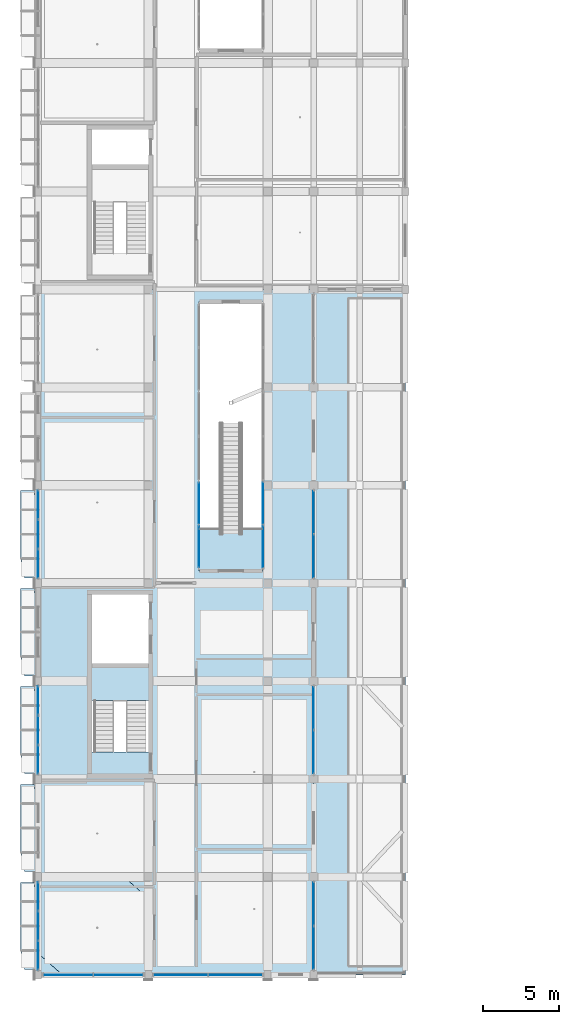
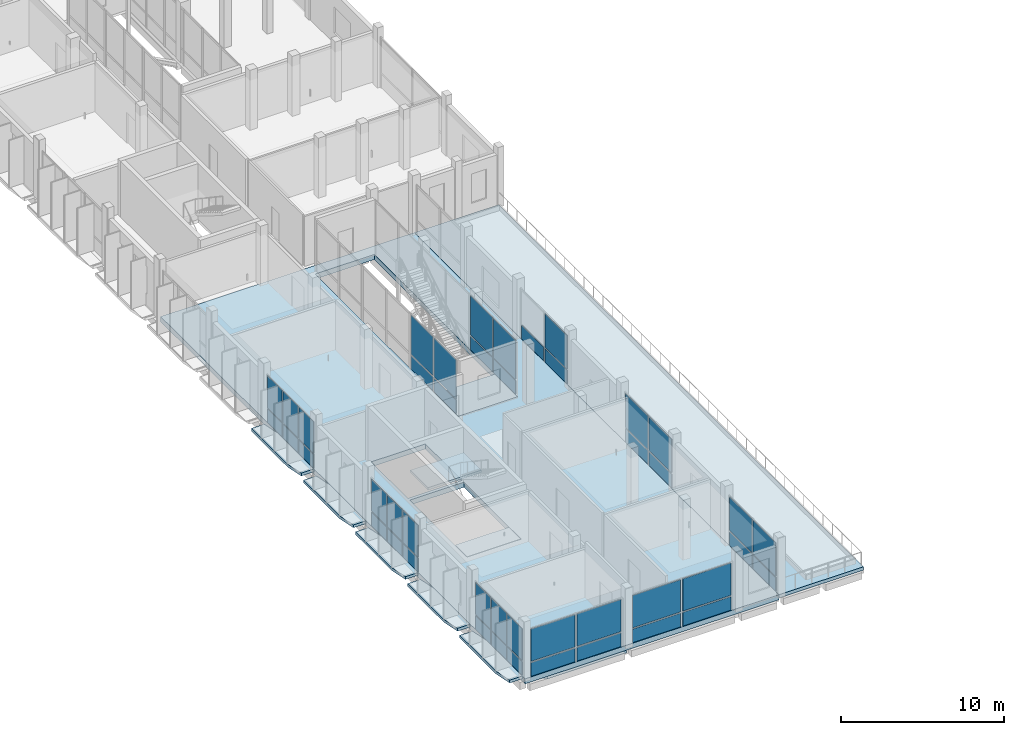
# One storey, part 43 of 95: 45 plates, 11 slabs, 11 elements without a shape of their own.
"""IFC4 building model written with IfcOpenShell, lengths in metres."""

from ifc_helpers import new_model, si_unit, derived_unit, direction, frame, origin, origin_2d, place, context, subcontext, project, spatial, polyline, rectangle, outline, extrude, material, layer, layer_set, type_object, element, aggregate, save


model = new_model("IFC4")

# Units and contexts
model_context = context("Model", 3, precision=1e-05, world=origin(), true_north=direction((0.0, 1.0)))
body_context = subcontext(model_context, "Body", "Model", "MODEL_VIEW")
ifc_project = project(units=[si_unit("LENGTHUNIT", "METRE"), si_unit("AREAUNIT", "SQUARE_METRE"), si_unit("VOLUMEUNIT", "CUBIC_METRE"), si_unit("PLANEANGLEUNIT", "RADIAN"), si_unit("MASSUNIT", "GRAM", prefix="KILO"), derived_unit("THERMALTRANSMITTANCEUNIT", [(si_unit("POWERUNIT", "WATT"), 1), (si_unit("LENGTHUNIT", "METRE"), -2), (si_unit("THERMODYNAMICTEMPERATUREUNIT", "KELVIN"), -1)])], contexts=[model_context])

# Site, building, storey
site_placement = place(None, origin())
site = spatial("IfcSite", under=ifc_project, at=site_placement, CompositionType="ELEMENT")
building_placement = place(site_placement, origin())
building = spatial("IfcBuilding", under=site, at=building_placement, Name="Braskholm Square Health Centre", CompositionType="ELEMENT")
storey_placement = place(building_placement, frame((0.0, 0.0, 4.800048828125)))
storey = spatial("IfcBuildingStorey", under=building, at=storey_placement, Name="L02", CompositionType="ELEMENT", Elevation=4.800048828125)

# Curtain wall, plates
ifc_material_1 = material(Name="Low-E triple insulating glass (VLT 0.64)", Category="glass")
curtain_wall_type_1 = type_object("IfcCurtainWallType", Name="UnitisedCurtainWall6200x3650", PredefinedType="NOTDEFINED", material=ifc_material_1)
curtain_wall_1_placement = place(storey_placement, origin())
curtain_wall_1 = element("IfcCurtainWall", 1, at=curtain_wall_1_placement, inside=storey, type_object=curtain_wall_type_1, Name="West Outer unitised curtain wall CW-L02-0006", PredefinedType="NOTDEFINED")
ifc_material_2 = material(Name="Architectural bronze anodised aluminium", Category="aluminium")
plate_type_1 = type_object("IfcPlateType", Name="CurtainPanelSpandrel1850x1020", PredefinedType="CURTAIN_PANEL", material=ifc_material_2)
plate_1_placement = place(storey_placement, frame((4.199951171875, 9.340087890625, 0.050048828125), z_axis=(0.0, 0.0, 1.0), x_axis=(0.0, -1.0, 0.0)))
plate_1 = element("IfcPlate", 2, at=plate_1_placement, type_object=plate_type_1, Name="CW-L02-0006 spandrel panel 1", PredefinedType="CURTAIN_PANEL", context=body_context, shape_type="SweptSolid", body=[
    extrude(rectangle(XDim=1.823486328125, YDim=0.035888671875, at=origin_2d()), origin(), (0.0, 0.0, 1.0), 1.02001953125),
])
plate_2_placement = place(storey_placement, frame((4.199951171875, 7.39990234375, 0.050048828125), z_axis=(0.0, 0.0, 1.0), x_axis=(0.0, -1.0, 0.0)))
plate_2 = element("IfcPlate", 3, at=plate_2_placement, type_object=plate_type_1, Name="CW-L02-0006 spandrel panel 2", PredefinedType="CURTAIN_PANEL", context=body_context, shape_type="SweptSolid", body=[
    extrude(rectangle(XDim=1.823486328125, YDim=0.035888671875, at=origin_2d()), origin(), (0.0, 0.0, 1.0), 1.02001953125),
])
plate_3_placement = place(storey_placement, frame((4.199951171875, 5.4599609375, 0.050048828125), z_axis=(0.0, 0.0, 1.0), x_axis=(0.0, -1.0, 0.0)))
plate_3 = element("IfcPlate", 4, at=plate_3_placement, type_object=plate_type_1, Name="CW-L02-0006 spandrel panel 3", PredefinedType="CURTAIN_PANEL", context=body_context, shape_type="SweptSolid", body=[
    extrude(rectangle(XDim=1.823486328125, YDim=0.035888671875, at=origin_2d()), origin(), (0.0, 0.0, 1.0), 1.02001953125),
])

curtain_wall_2_placement = place(storey_placement, origin())
curtain_wall_2 = element("IfcCurtainWall", 5, at=curtain_wall_2_placement, inside=storey, type_object=curtain_wall_type_1, Name="West Outer unitised curtain wall CW-L02-0007", PredefinedType="NOTDEFINED")
plate_4_placement = place(storey_placement, frame((4.199951171875, 22.139892578125, 0.050048828125), z_axis=(0.0, 0.0, 1.0), x_axis=(0.0, -1.0, 0.0)))
plate_4 = element("IfcPlate", 6, at=plate_4_placement, type_object=plate_type_1, Name="CW-L02-0007 spandrel panel 1", PredefinedType="CURTAIN_PANEL", context=body_context, shape_type="SweptSolid", body=[
    extrude(rectangle(XDim=1.823486328125, YDim=0.035888671875, at=origin_2d()), origin(), (0.0, 0.0, 1.0), 1.02001953125),
])
plate_5_placement = place(storey_placement, frame((4.199951171875, 20.199951171875, 0.050048828125), z_axis=(0.0, 0.0, 1.0), x_axis=(0.0, -1.0, 0.0)))
plate_5 = element("IfcPlate", 7, at=plate_5_placement, type_object=plate_type_1, Name="CW-L02-0007 spandrel panel 2", PredefinedType="CURTAIN_PANEL", context=body_context, shape_type="SweptSolid", body=[
    extrude(rectangle(XDim=1.823486328125, YDim=0.035888671875, at=origin_2d()), origin(), (0.0, 0.0, 1.0), 1.02001953125),
])
plate_6_placement = place(storey_placement, frame((4.199951171875, 18.260009765625, 0.050048828125), z_axis=(0.0, 0.0, 1.0), x_axis=(0.0, -1.0, 0.0)))
plate_6 = element("IfcPlate", 8, at=plate_6_placement, type_object=plate_type_1, Name="CW-L02-0007 spandrel panel 3", PredefinedType="CURTAIN_PANEL", context=body_context, shape_type="SweptSolid", body=[
    extrude(rectangle(XDim=1.823486328125, YDim=0.035888671875, at=origin_2d()), origin(), (0.0, 0.0, 1.0), 1.02001953125),
])

curtain_wall_3_placement = place(storey_placement, origin())
curtain_wall_3 = element("IfcCurtainWall", 9, at=curtain_wall_3_placement, inside=storey, type_object=curtain_wall_type_1, Name="West Outer unitised curtain wall CW-L02-0008", PredefinedType="NOTDEFINED")
plate_7_placement = place(storey_placement, frame((4.199951171875, 34.93994140625, 0.050048828125), z_axis=(0.0, 0.0, 1.0), x_axis=(0.0, -1.0, 0.0)))
plate_7 = element("IfcPlate", 10, at=plate_7_placement, type_object=plate_type_1, Name="CW-L02-0008 spandrel panel 1", PredefinedType="CURTAIN_PANEL", context=body_context, shape_type="SweptSolid", body=[
    extrude(rectangle(XDim=1.823486328125, YDim=0.035888671875, at=origin_2d()), origin(), (0.0, 0.0, 1.0), 1.02001953125),
])
plate_8_placement = place(storey_placement, frame((4.199951171875, 33.0, 0.050048828125), z_axis=(0.0, 0.0, 1.0), x_axis=(0.0, -1.0, 0.0)))
plate_8 = element("IfcPlate", 11, at=plate_8_placement, type_object=plate_type_1, Name="CW-L02-0008 spandrel panel 2", PredefinedType="CURTAIN_PANEL", context=body_context, shape_type="SweptSolid", body=[
    extrude(rectangle(XDim=1.823486328125, YDim=0.035888671875, at=origin_2d()), origin(), (0.0, 0.0, 1.0), 1.02001953125),
])
plate_9_placement = place(storey_placement, frame((4.199951171875, 31.06005859375, 0.050048828125), z_axis=(0.0, 0.0, 1.0), x_axis=(0.0, -1.0, 0.0)))
plate_9 = element("IfcPlate", 12, at=plate_9_placement, type_object=plate_type_1, Name="CW-L02-0008 spandrel panel 3", PredefinedType="CURTAIN_PANEL", context=body_context, shape_type="SweptSolid", body=[
    extrude(rectangle(XDim=1.823486328125, YDim=0.035888671875, at=origin_2d()), origin(), (0.0, 0.0, 1.0), 1.02001953125),
])

curtain_wall_type_2 = type_object("IfcCurtainWallType", Name="UnitisedCurtainWall6200x3800", PredefinedType="NOTDEFINED", material=ifc_material_1)
curtain_wall_4_placement = place(storey_placement, origin())
curtain_wall_4 = element("IfcCurtainWall", 13, at=curtain_wall_4_placement, inside=storey, type_object=curtain_wall_type_2, Name="West Valley unitised curtain wall CW-L02-0084", PredefinedType="NOTDEFINED")
plate_type_2 = type_object("IfcPlateType", Name="CurtainPanelSpandrel2750x1020", PredefinedType="CURTAIN_PANEL", material=ifc_material_2)
plate_10_placement = place(storey_placement, frame((22.199951171875, 5.963623046875, 0.050048828125), z_axis=(0.0, 0.0, 1.0), x_axis=(0.0, 1.0, 0.0)))
plate_10 = element("IfcPlate", 14, at=plate_10_placement, type_object=plate_type_2, Name="CW-L02-0084 spandrel panel 1", PredefinedType="CURTAIN_PANEL", context=body_context, shape_type="SweptSolid", body=[
    extrude(rectangle(XDim=2.73779296875, YDim=0.035888671875, at=origin_2d()), origin(), (0.0, 0.0, 1.0), 1.02001953125),
])
plate_11_placement = place(storey_placement, frame((22.199951171875, 8.84130859375, 0.050048828125), z_axis=(0.0, 0.0, 1.0), x_axis=(0.0, 1.0, 0.0)))
plate_11 = element("IfcPlate", 15, at=plate_11_placement, type_object=plate_type_2, Name="CW-L02-0084 spandrel panel 2", PredefinedType="CURTAIN_PANEL", context=body_context, shape_type="SweptSolid", body=[
    extrude(rectangle(XDim=2.73779296875, YDim=0.035888671875, at=origin_2d()), origin(), (0.0, 0.0, 1.0), 1.02001953125),
])

curtain_wall_5_placement = place(storey_placement, origin())
curtain_wall_5 = element("IfcCurtainWall", 16, at=curtain_wall_5_placement, inside=storey, type_object=curtain_wall_type_2, Name="West Valley unitised curtain wall CW-L02-0085", PredefinedType="NOTDEFINED")
plate_12_placement = place(storey_placement, frame((22.199951171875, 18.760009765625, 0.050048828125), z_axis=(0.0, 0.0, 1.0), x_axis=(0.0, 1.0, 0.0)))
plate_12 = element("IfcPlate", 17, at=plate_12_placement, type_object=plate_type_2, Name="CW-L02-0085 spandrel panel 1", PredefinedType="CURTAIN_PANEL", context=body_context, shape_type="SweptSolid", body=[
    extrude(rectangle(XDim=2.739990234375, YDim=0.035888671875, at=origin_2d()), origin(), (0.0, 0.0, 1.0), 1.02001953125),
])
plate_13_placement = place(storey_placement, frame((22.199951171875, 21.639892578125, 0.050048828125), z_axis=(0.0, 0.0, 1.0), x_axis=(0.0, 1.0, 0.0)))
plate_13 = element("IfcPlate", 18, at=plate_13_placement, type_object=plate_type_2, Name="CW-L02-0085 spandrel panel 2", PredefinedType="CURTAIN_PANEL", context=body_context, shape_type="SweptSolid", body=[
    extrude(rectangle(XDim=2.739990234375, YDim=0.035888671875, at=origin_2d()), origin(), (0.0, 0.0, 1.0), 1.02001953125),
])

curtain_wall_6_placement = place(storey_placement, origin())
curtain_wall_6 = element("IfcCurtainWall", 19, at=curtain_wall_6_placement, inside=storey, type_object=curtain_wall_type_2, Name="West Valley unitised curtain wall CW-L02-0086", PredefinedType="NOTDEFINED")
plate_14_placement = place(storey_placement, frame((22.199951171875, 31.56005859375, 0.050048828125), z_axis=(0.0, 0.0, 1.0), x_axis=(0.0, 1.0, 0.0)))
plate_14 = element("IfcPlate", 20, at=plate_14_placement, type_object=plate_type_2, Name="CW-L02-0086 spandrel panel 1", PredefinedType="CURTAIN_PANEL", context=body_context, shape_type="SweptSolid", body=[
    extrude(rectangle(XDim=2.739990234375, YDim=0.035888671875, at=origin_2d()), origin(), (0.0, 0.0, 1.0), 1.02001953125),
])
plate_15_placement = place(storey_placement, frame((22.199951171875, 34.43994140625, 0.050048828125), z_axis=(0.0, 0.0, 1.0), x_axis=(0.0, 1.0, 0.0)))
plate_15 = element("IfcPlate", 21, at=plate_15_placement, type_object=plate_type_2, Name="CW-L02-0086 spandrel panel 2", PredefinedType="CURTAIN_PANEL", context=body_context, shape_type="SweptSolid", body=[
    extrude(rectangle(XDim=2.739990234375, YDim=0.035888671875, at=origin_2d()), origin(), (0.0, 0.0, 1.0), 1.02001953125),
])

curtain_wall_type_3 = type_object("IfcCurtainWallType", Name="UnitisedCurtainWall5400x4100", PredefinedType="NOTDEFINED", material=ifc_material_1)
curtain_wall_7_placement = place(storey_placement, origin())
curtain_wall_7 = element("IfcCurtainWall", 22, at=curtain_wall_7_placement, inside=storey, type_object=curtain_wall_type_3, Name="WC1 Court W unitised curtain wall CW-L02-0255", PredefinedType="NOTDEFINED")
plate_16_placement = place(storey_placement, frame((14.699951171875, 32.187744140625, 0.050048828125), z_axis=(0.0, 0.0, 1.0), x_axis=(0.0, 1.0, 0.0)))
plate_16 = element("IfcPlate", 23, at=plate_16_placement, type_object=plate_type_2, Name="CW-L02-0255 spandrel panel 1", PredefinedType="CURTAIN_PANEL", context=body_context, shape_type="SweptSolid", body=[
    extrude(rectangle(XDim=2.689208984375, YDim=0.035888671875, at=origin_2d()), origin(), (0.0, 0.0, 1.0), 1.02001953125),
])
plate_17_placement = place(storey_placement, frame((14.699951171875, 35.014404296875, 0.050048828125), z_axis=(0.0, 0.0, 1.0), x_axis=(0.0, 1.0, 0.0)))
plate_17 = element("IfcPlate", 24, at=plate_17_placement, type_object=plate_type_2, Name="CW-L02-0255 spandrel panel 2", PredefinedType="CURTAIN_PANEL", context=body_context, shape_type="SweptSolid", body=[
    extrude(rectangle(XDim=2.689208984375, YDim=0.035888671875, at=origin_2d()), origin(), (0.0, 0.0, 1.0), 1.02001953125),
])

curtain_wall_8_placement = place(storey_placement, origin())
curtain_wall_8 = element("IfcCurtainWall", 25, at=curtain_wall_8_placement, inside=storey, type_object=curtain_wall_type_3, Name="WC1 Court E unitised curtain wall CW-L02-0256", PredefinedType="NOTDEFINED")
plate_18_placement = place(storey_placement, frame((18.89990234375, 35.014404296875, 0.050048828125), z_axis=(0.0, 0.0, 1.0), x_axis=(0.0, -1.0, 0.0)))
plate_18 = element("IfcPlate", 26, at=plate_18_placement, type_object=plate_type_2, Name="CW-L02-0256 spandrel panel 1", PredefinedType="CURTAIN_PANEL", context=body_context, shape_type="SweptSolid", body=[
    extrude(rectangle(XDim=2.689208984375, YDim=0.035888671875, at=origin_2d()), origin(), (0.0, 0.0, 1.0), 1.02001953125),
])
plate_19_placement = place(storey_placement, frame((18.89990234375, 32.187744140625, 0.050048828125), z_axis=(0.0, 0.0, 1.0), x_axis=(0.0, -1.0, 0.0)))
plate_19 = element("IfcPlate", 27, at=plate_19_placement, type_object=plate_type_2, Name="CW-L02-0256 spandrel panel 2", PredefinedType="CURTAIN_PANEL", context=body_context, shape_type="SweptSolid", body=[
    extrude(rectangle(XDim=2.689208984375, YDim=0.035888671875, at=origin_2d()), origin(), (0.0, 0.0, 1.0), 1.02001953125),
])

curtain_wall_9_placement = place(storey_placement, origin())
curtain_wall_9 = element("IfcCurtainWall", 28, at=curtain_wall_9_placement, inside=storey, type_object=curtain_wall_type_1, Name="Wing End unitised curtain wall CW-L02-0145", PredefinedType="NOTDEFINED")
plate_type_3 = type_object("IfcPlateType", Name="CurtainPanelSpandrel3150x1020", PredefinedType="CURTAIN_PANEL", material=ifc_material_2)
plate_20_placement = place(storey_placement, frame((6.159912109375, 4.199951171875, 0.050048828125), z_axis=(0.0, 0.0, 1.0), x_axis=(1.0, 0.0, 0.0)))
plate_20 = element("IfcPlate", 29, at=plate_20_placement, type_object=plate_type_3, Name="CW-L02-0145 spandrel panel 1", PredefinedType="CURTAIN_PANEL", context=body_context, shape_type="SweptSolid", body=[
    extrude(rectangle(XDim=3.120849609375, YDim=0.035888671875, at=origin_2d()), origin(), (0.0, 0.0, 1.0), 1.02001953125),
])
plate_21_placement = place(storey_placement, frame((9.440185546875, 4.199951171875, 0.050048828125), z_axis=(0.0, 0.0, 1.0), x_axis=(1.0, 0.0, 0.0)))
plate_21 = element("IfcPlate", 30, at=plate_21_placement, type_object=plate_type_3, Name="CW-L02-0145 spandrel panel 2", PredefinedType="CURTAIN_PANEL", context=body_context, shape_type="SweptSolid", body=[
    extrude(rectangle(XDim=3.120849609375, YDim=0.035888671875, at=origin_2d()), origin(), (0.0, 0.0, 1.0), 1.02001953125),
])

curtain_wall_10_placement = place(storey_placement, origin())
curtain_wall_10 = element("IfcCurtainWall", 31, at=curtain_wall_10_placement, inside=storey, type_object=curtain_wall_type_1, Name="Wing End unitised curtain wall CW-L02-0146", PredefinedType="NOTDEFINED")
plate_22_placement = place(storey_placement, frame((13.51171875, 4.199951171875, 0.050048828125), z_axis=(0.0, 0.0, 1.0), x_axis=(1.0, 0.0, 0.0)))
plate_22 = element("IfcPlate", 32, at=plate_22_placement, type_object=plate_type_3, Name="CW-L02-0146 spandrel panel 1", PredefinedType="CURTAIN_PANEL", context=body_context, shape_type="SweptSolid", body=[
    extrude(rectangle(XDim=3.40283203125, YDim=0.035888671875, at=origin_2d()), origin(), (0.0, 0.0, 1.0), 1.02001953125),
])
plate_23_placement = place(storey_placement, frame((17.08837890625, 4.199951171875, 0.050048828125), z_axis=(0.0, 0.0, 1.0), x_axis=(1.0, 0.0, 0.0)))
plate_23 = element("IfcPlate", 33, at=plate_23_placement, type_object=plate_type_3, Name="CW-L02-0146 spandrel panel 2", PredefinedType="CURTAIN_PANEL", context=body_context, shape_type="SweptSolid", body=[
    extrude(rectangle(XDim=3.40283203125, YDim=0.035888671875, at=origin_2d()), origin(), (0.0, 0.0, 1.0), 1.02001953125),
])

# Plate
plate_type_4 = type_object("IfcPlateType", Name="CurtainPanelVision1850x2520", PredefinedType="CURTAIN_PANEL", material=ifc_material_1)
plate_24_placement = place(storey_placement, frame((4.199951171875, 9.340087890625, 1.169921875), z_axis=(0.0, 0.0, 1.0), x_axis=(0.0, -1.0, 0.0)))
plate_24 = element("IfcPlate", 34, at=plate_24_placement, type_object=plate_type_4, Name="CW-L02-0006 vision glass panel 1", PredefinedType="CURTAIN_PANEL", context=body_context, shape_type="SweptSolid", body=[
    extrude(rectangle(XDim=1.823486328125, YDim=0.035888671875, at=origin_2d()), origin(), (0.0, 0.0, 1.0), 2.3701171875),
])

plate_25_placement = place(storey_placement, frame((4.199951171875, 7.39990234375, 1.169921875), z_axis=(0.0, 0.0, 1.0), x_axis=(0.0, -1.0, 0.0)))
plate_25 = element("IfcPlate", 35, at=plate_25_placement, type_object=plate_type_4, Name="CW-L02-0006 vision glass panel 2", PredefinedType="CURTAIN_PANEL", context=body_context, shape_type="SweptSolid", body=[
    extrude(rectangle(XDim=1.823486328125, YDim=0.035888671875, at=origin_2d()), origin(), (0.0, 0.0, 1.0), 2.3701171875),
])

plate_26_placement = place(storey_placement, frame((4.199951171875, 5.4599609375, 1.169921875), z_axis=(0.0, 0.0, 1.0), x_axis=(0.0, -1.0, 0.0)))
plate_26 = element("IfcPlate", 36, at=plate_26_placement, type_object=plate_type_4, Name="CW-L02-0006 vision glass panel 3", PredefinedType="CURTAIN_PANEL", context=body_context, shape_type="SweptSolid", body=[
    extrude(rectangle(XDim=1.823486328125, YDim=0.035888671875, at=origin_2d()), origin(), (0.0, 0.0, 1.0), 2.3701171875),
])

aggregate(curtain_wall_1, [plate_1, plate_24, plate_2, plate_25, plate_3, plate_26])

plate_27_placement = place(storey_placement, frame((4.199951171875, 22.139892578125, 1.169921875), z_axis=(0.0, 0.0, 1.0), x_axis=(0.0, -1.0, 0.0)))
plate_27 = element("IfcPlate", 37, at=plate_27_placement, type_object=plate_type_4, Name="CW-L02-0007 vision glass panel 1", PredefinedType="CURTAIN_PANEL", context=body_context, shape_type="SweptSolid", body=[
    extrude(rectangle(XDim=1.823486328125, YDim=0.035888671875, at=origin_2d()), origin(), (0.0, 0.0, 1.0), 2.3701171875),
])

plate_28_placement = place(storey_placement, frame((4.199951171875, 20.199951171875, 1.169921875), z_axis=(0.0, 0.0, 1.0), x_axis=(0.0, -1.0, 0.0)))
plate_28 = element("IfcPlate", 38, at=plate_28_placement, type_object=plate_type_4, Name="CW-L02-0007 vision glass panel 2", PredefinedType="CURTAIN_PANEL", context=body_context, shape_type="SweptSolid", body=[
    extrude(rectangle(XDim=1.823486328125, YDim=0.035888671875, at=origin_2d()), origin(), (0.0, 0.0, 1.0), 2.3701171875),
])

plate_29_placement = place(storey_placement, frame((4.199951171875, 18.260009765625, 1.169921875), z_axis=(0.0, 0.0, 1.0), x_axis=(0.0, -1.0, 0.0)))
plate_29 = element("IfcPlate", 39, at=plate_29_placement, type_object=plate_type_4, Name="CW-L02-0007 vision glass panel 3", PredefinedType="CURTAIN_PANEL", context=body_context, shape_type="SweptSolid", body=[
    extrude(rectangle(XDim=1.823486328125, YDim=0.035888671875, at=origin_2d()), origin(), (0.0, 0.0, 1.0), 2.3701171875),
])

aggregate(curtain_wall_2, [plate_4, plate_27, plate_5, plate_28, plate_6, plate_29])

plate_30_placement = place(storey_placement, frame((4.199951171875, 34.93994140625, 1.169921875), z_axis=(0.0, 0.0, 1.0), x_axis=(0.0, -1.0, 0.0)))
plate_30 = element("IfcPlate", 40, at=plate_30_placement, type_object=plate_type_4, Name="CW-L02-0008 vision glass panel 1", PredefinedType="CURTAIN_PANEL", context=body_context, shape_type="SweptSolid", body=[
    extrude(rectangle(XDim=1.823486328125, YDim=0.035888671875, at=origin_2d()), origin(), (0.0, 0.0, 1.0), 2.3701171875),
])

plate_31_placement = place(storey_placement, frame((4.199951171875, 33.0, 1.169921875), z_axis=(0.0, 0.0, 1.0), x_axis=(0.0, -1.0, 0.0)))
plate_31 = element("IfcPlate", 41, at=plate_31_placement, type_object=plate_type_4, Name="CW-L02-0008 vision glass panel 2", PredefinedType="CURTAIN_PANEL", context=body_context, shape_type="SweptSolid", body=[
    extrude(rectangle(XDim=1.823486328125, YDim=0.035888671875, at=origin_2d()), origin(), (0.0, 0.0, 1.0), 2.3701171875),
])

plate_32_placement = place(storey_placement, frame((4.199951171875, 31.06005859375, 1.169921875), z_axis=(0.0, 0.0, 1.0), x_axis=(0.0, -1.0, 0.0)))
plate_32 = element("IfcPlate", 42, at=plate_32_placement, type_object=plate_type_4, Name="CW-L02-0008 vision glass panel 3", PredefinedType="CURTAIN_PANEL", context=body_context, shape_type="SweptSolid", body=[
    extrude(rectangle(XDim=1.823486328125, YDim=0.035888671875, at=origin_2d()), origin(), (0.0, 0.0, 1.0), 2.3701171875),
])

aggregate(curtain_wall_3, [plate_7, plate_30, plate_8, plate_31, plate_9, plate_32])

plate_type_5 = type_object("IfcPlateType", Name="CurtainPanelVision2750x2520", PredefinedType="CURTAIN_PANEL", material=ifc_material_1)
plate_33_placement = place(storey_placement, frame((22.199951171875, 5.963623046875, 1.169921875), z_axis=(0.0, 0.0, 1.0), x_axis=(0.0, 1.0, 0.0)))
plate_33 = element("IfcPlate", 43, at=plate_33_placement, type_object=plate_type_5, Name="CW-L02-0084 vision glass panel 1", PredefinedType="CURTAIN_PANEL", context=body_context, shape_type="SweptSolid", body=[
    extrude(rectangle(XDim=2.73779296875, YDim=0.035888671875, at=origin_2d()), origin(), (0.0, 0.0, 1.0), 2.510009765625),
])

plate_34_placement = place(storey_placement, frame((22.199951171875, 8.84130859375, 1.169921875), z_axis=(0.0, 0.0, 1.0), x_axis=(0.0, 1.0, 0.0)))
plate_34 = element("IfcPlate", 44, at=plate_34_placement, type_object=plate_type_5, Name="CW-L02-0084 vision glass panel 2", PredefinedType="CURTAIN_PANEL", context=body_context, shape_type="SweptSolid", body=[
    extrude(rectangle(XDim=2.73779296875, YDim=0.035888671875, at=origin_2d()), origin(), (0.0, 0.0, 1.0), 2.510009765625),
])

aggregate(curtain_wall_4, [plate_10, plate_33, plate_11, plate_34])

plate_35_placement = place(storey_placement, frame((22.199951171875, 18.760009765625, 1.169921875), z_axis=(0.0, 0.0, 1.0), x_axis=(0.0, 1.0, 0.0)))
plate_35 = element("IfcPlate", 45, at=plate_35_placement, type_object=plate_type_5, Name="CW-L02-0085 vision glass panel 1", PredefinedType="CURTAIN_PANEL", context=body_context, shape_type="SweptSolid", body=[
    extrude(rectangle(XDim=2.739990234375, YDim=0.035888671875, at=origin_2d()), origin(), (0.0, 0.0, 1.0), 2.510009765625),
])

plate_36_placement = place(storey_placement, frame((22.199951171875, 21.639892578125, 1.169921875), z_axis=(0.0, 0.0, 1.0), x_axis=(0.0, 1.0, 0.0)))
plate_36 = element("IfcPlate", 46, at=plate_36_placement, type_object=plate_type_5, Name="CW-L02-0085 vision glass panel 2", PredefinedType="CURTAIN_PANEL", context=body_context, shape_type="SweptSolid", body=[
    extrude(rectangle(XDim=2.739990234375, YDim=0.035888671875, at=origin_2d()), origin(), (0.0, 0.0, 1.0), 2.510009765625),
])

aggregate(curtain_wall_5, [plate_12, plate_35, plate_13, plate_36])

plate_37_placement = place(storey_placement, frame((22.199951171875, 31.56005859375, 1.169921875), z_axis=(0.0, 0.0, 1.0), x_axis=(0.0, 1.0, 0.0)))
plate_37 = element("IfcPlate", 47, at=plate_37_placement, type_object=plate_type_5, Name="CW-L02-0086 vision glass panel 1", PredefinedType="CURTAIN_PANEL", context=body_context, shape_type="SweptSolid", body=[
    extrude(rectangle(XDim=2.739990234375, YDim=0.035888671875, at=origin_2d()), origin(), (0.0, 0.0, 1.0), 2.510009765625),
])

aggregate(curtain_wall_6, [plate_14, plate_37, plate_15])

plate_type_6 = type_object("IfcPlateType", Name="CurtainPanelVision2750x2950", PredefinedType="CURTAIN_PANEL", material=ifc_material_1)
plate_38_placement = place(storey_placement, frame((14.699951171875, 32.187744140625, 1.169921875), z_axis=(0.0, 0.0, 1.0), x_axis=(0.0, 1.0, 0.0)))
plate_38 = element("IfcPlate", 48, at=plate_38_placement, type_object=plate_type_6, Name="CW-L02-0255 vision glass panel 1", PredefinedType="CURTAIN_PANEL", context=body_context, shape_type="SweptSolid", body=[
    extrude(rectangle(XDim=2.689208984375, YDim=0.035888671875, at=origin_2d()), origin(), (0.0, 0.0, 1.0), 2.919921875),
])

plate_39_placement = place(storey_placement, frame((14.699951171875, 35.014404296875, 1.169921875), z_axis=(0.0, 0.0, 1.0), x_axis=(0.0, 1.0, 0.0)))
plate_39 = element("IfcPlate", 49, at=plate_39_placement, type_object=plate_type_6, Name="CW-L02-0255 vision glass panel 2", PredefinedType="CURTAIN_PANEL", context=body_context, shape_type="SweptSolid", body=[
    extrude(rectangle(XDim=2.689208984375, YDim=0.035888671875, at=origin_2d()), origin(), (0.0, 0.0, 1.0), 2.919921875),
])

aggregate(curtain_wall_7, [plate_16, plate_38, plate_17, plate_39])

plate_40_placement = place(storey_placement, frame((18.89990234375, 35.014404296875, 1.169921875), z_axis=(0.0, 0.0, 1.0), x_axis=(0.0, -1.0, 0.0)))
plate_40 = element("IfcPlate", 50, at=plate_40_placement, type_object=plate_type_6, Name="CW-L02-0256 vision glass panel 1", PredefinedType="CURTAIN_PANEL", context=body_context, shape_type="SweptSolid", body=[
    extrude(rectangle(XDim=2.689208984375, YDim=0.035888671875, at=origin_2d()), origin(), (0.0, 0.0, 1.0), 2.919921875),
])

plate_41_placement = place(storey_placement, frame((18.89990234375, 32.187744140625, 1.169921875), z_axis=(0.0, 0.0, 1.0), x_axis=(0.0, -1.0, 0.0)))
plate_41 = element("IfcPlate", 51, at=plate_41_placement, type_object=plate_type_6, Name="CW-L02-0256 vision glass panel 2", PredefinedType="CURTAIN_PANEL", context=body_context, shape_type="SweptSolid", body=[
    extrude(rectangle(XDim=2.689208984375, YDim=0.035888671875, at=origin_2d()), origin(), (0.0, 0.0, 1.0), 2.919921875),
])

aggregate(curtain_wall_8, [plate_18, plate_40, plate_19, plate_41])

plate_type_7 = type_object("IfcPlateType", Name="CurtainPanelVision3150x2520", PredefinedType="CURTAIN_PANEL", material=ifc_material_1)
plate_42_placement = place(storey_placement, frame((6.159912109375, 4.199951171875, 1.169921875), z_axis=(0.0, 0.0, 1.0), x_axis=(1.0, 0.0, 0.0)))
plate_42 = element("IfcPlate", 52, at=plate_42_placement, type_object=plate_type_7, Name="CW-L02-0145 vision glass panel 1", PredefinedType="CURTAIN_PANEL", context=body_context, shape_type="SweptSolid", body=[
    extrude(rectangle(XDim=3.120849609375, YDim=0.035888671875, at=origin_2d()), origin(), (0.0, 0.0, 1.0), 2.419921875),
])

plate_43_placement = place(storey_placement, frame((9.440185546875, 4.199951171875, 1.169921875), z_axis=(0.0, 0.0, 1.0), x_axis=(1.0, 0.0, 0.0)))
plate_43 = element("IfcPlate", 53, at=plate_43_placement, type_object=plate_type_7, Name="CW-L02-0145 vision glass panel 2", PredefinedType="CURTAIN_PANEL", context=body_context, shape_type="SweptSolid", body=[
    extrude(rectangle(XDim=3.120849609375, YDim=0.035888671875, at=origin_2d()), origin(), (0.0, 0.0, 1.0), 2.419921875),
])

aggregate(curtain_wall_9, [plate_20, plate_42, plate_21, plate_43])

plate_44_placement = place(storey_placement, frame((13.51171875, 4.199951171875, 1.169921875), z_axis=(0.0, 0.0, 1.0), x_axis=(1.0, 0.0, 0.0)))
plate_44 = element("IfcPlate", 54, at=plate_44_placement, type_object=plate_type_7, Name="CW-L02-0146 vision glass panel 1", PredefinedType="CURTAIN_PANEL", context=body_context, shape_type="SweptSolid", body=[
    extrude(rectangle(XDim=3.40283203125, YDim=0.035888671875, at=origin_2d()), origin(), (0.0, 0.0, 1.0), 2.419921875),
])

plate_45_placement = place(storey_placement, frame((17.08837890625, 4.199951171875, 1.169921875), z_axis=(0.0, 0.0, 1.0), x_axis=(1.0, 0.0, 0.0)))
plate_45 = element("IfcPlate", 55, at=plate_45_placement, type_object=plate_type_7, Name="CW-L02-0146 vision glass panel 2", PredefinedType="CURTAIN_PANEL", context=body_context, shape_type="SweptSolid", body=[
    extrude(rectangle(XDim=3.40283203125, YDim=0.035888671875, at=origin_2d()), origin(), (0.0, 0.0, 1.0), 2.419921875),
])

aggregate(curtain_wall_10, [plate_22, plate_44, plate_23, plate_45])

# Slabs
ifc_material_3 = material(Name="Concrete C35/45 (f'c = 35 MPa)", Category="concrete")
ifc_layer_1 = layer(ifc_material_3, 0.3798828125)
ifc_layer_set_1 = layer_set([ifc_layer_1], Name="Concrete C35/45 (f'c = 35 MPa)")
slab_type_1 = type_object("IfcSlabType", Name="ImagingVibrationFlatSlab380", PredefinedType="FLOOR", material=ifc_layer_set_1)
slab_1_placement = place(storey_placement, frame((0.0, 0.0, -0.380126953125)))
element("IfcSlab", 56, at=slab_1_placement, inside=storey, type_object=slab_type_1, Name="Level L02 V2 Ambulatory day surgery slab", PredefinedType="FLOOR", context=body_context, shape_type="SweptSolid", body=[
    extrude(outline(polyline([(4.199951171875, 4.199951171875), (22.199951171875, 4.199951171875), (22.199951171875, 49.0), (4.199951171875, 49.0), (4.199951171875, 4.199951171875)]), holes=[polyline([(7.6298828125, 17.280029296875), (11.469970703125, 17.280029296875), (11.469970703125, 24.320068359375), (7.6298828125, 24.320068359375), (7.6298828125, 17.280029296875)]), polyline([(7.6298828125, 24.550048828125), (11.469970703125, 24.550048828125), (11.469970703125, 29.050048828125), (7.6298828125, 29.050048828125), (7.6298828125, 24.550048828125)]), polyline([(14.699951171875, 30.60009765625), (18.89990234375, 30.60009765625), (18.89990234375, 48.199951171875), (14.699951171875, 48.199951171875), (14.699951171875, 30.60009765625)])]), origin(), (0.0, 0.0, 1.0), 0.380126953125),
])
ifc_material_4 = material(Name="Precast concrete C40/50 architectural white", Category="concrete")
ifc_layer_2 = layer(ifc_material_4, 0.2099609375)
ifc_layer_set_2 = layer_set([ifc_layer_2], Name="Precast concrete C40/50 architectural white")
slab_type_2 = type_object("IfcSlabType", Name="PitchedAndCrownRoofSlab150", PredefinedType="ROOF", material=ifc_layer_set_2)
slab_2_placement = place(storey_placement, frame((0.0, 0.0, -0.2099609375)))
element("IfcSlab", 57, at=slab_2_placement, inside=storey, type_object=slab_type_2, Name="Level L02 West precast planter ledge 001", PredefinedType="ROOF", context=body_context, shape_type="SweptSolid", body=[
    extrude(outline(polyline([(3.302978515625, 4.550048828125), (4.199951171875, 4.550048828125), (4.199951171875, 8.99609375), (3.947021484375, 10.25), (3.050048828125, 10.25), (3.050048828125, 5.803955078125), (3.302978515625, 4.550048828125)])), origin(), (0.0, 0.0, 1.0), 0.2099609375),
])
slab_3_placement = place(storey_placement, frame((0.0, 0.0, -0.2099609375)))
element("IfcSlab", 58, at=slab_3_placement, inside=storey, type_object=slab_type_2, Name="Level L02 West precast planter ledge 002", PredefinedType="ROOF", context=body_context, shape_type="SweptSolid", body=[
    extrude(outline(polyline([(3.302978515625, 10.949951171875), (4.199951171875, 10.949951171875), (4.199951171875, 15.39599609375), (3.947021484375, 16.64990234375), (3.050048828125, 16.64990234375), (3.050048828125, 12.2041015625), (3.302978515625, 10.949951171875)])), origin(), (0.0, 0.0, 1.0), 0.2099609375),
])
slab_4_placement = place(storey_placement, frame((0.0, 0.0, -0.2099609375)))
element("IfcSlab", 59, at=slab_4_placement, inside=storey, type_object=slab_type_2, Name="Level L02 West precast planter ledge 003", PredefinedType="ROOF", context=body_context, shape_type="SweptSolid", body=[
    extrude(outline(polyline([(3.302978515625, 17.35009765625), (4.199951171875, 17.35009765625), (4.199951171875, 21.7958984375), (3.947021484375, 23.050048828125), (3.050048828125, 23.050048828125), (3.050048828125, 18.60400390625), (3.302978515625, 17.35009765625)])), origin(), (0.0, 0.0, 1.0), 0.2099609375),
])
slab_5_placement = place(storey_placement, frame((0.0, 0.0, -0.2099609375)))
element("IfcSlab", 60, at=slab_5_placement, inside=storey, type_object=slab_type_2, Name="Level L02 West precast planter ledge 004", PredefinedType="ROOF", context=body_context, shape_type="SweptSolid", body=[
    extrude(outline(polyline([(3.302978515625, 23.75), (4.199951171875, 23.75), (4.199951171875, 28.196044921875), (3.947021484375, 29.449951171875), (3.050048828125, 29.449951171875), (3.050048828125, 25.00390625), (3.302978515625, 23.75)])), origin(), (0.0, 0.0, 1.0), 0.2099609375),
])
slab_6_placement = place(storey_placement, frame((0.0, 0.0, -0.2099609375)))
element("IfcSlab", 61, at=slab_6_placement, inside=storey, type_object=slab_type_2, Name="Level L02 West precast planter ledge 005", PredefinedType="ROOF", context=body_context, shape_type="SweptSolid", body=[
    extrude(outline(polyline([(3.302978515625, 30.14990234375), (4.199951171875, 30.14990234375), (4.199951171875, 34.595947265625), (3.947021484375, 35.85009765625), (3.050048828125, 35.85009765625), (3.050048828125, 31.404052734375), (3.302978515625, 30.14990234375)])), origin(), (0.0, 0.0, 1.0), 0.2099609375),
])
ifc_layer_3 = layer(ifc_material_3, 0.25)
ifc_layer_set_3 = layer_set([ifc_layer_3], Name="Concrete C35/45 (f'c = 35 MPa)")
slab_type_3 = type_object("IfcSlabType", Name="PlantedTerraceRoofSlab250", PredefinedType="ROOF", material=ifc_layer_set_3)
slab_7_placement = place(storey_placement, frame((0.0, 0.0, -0.25)))
element("IfcSlab", 62, at=slab_7_placement, inside=storey, type_object=slab_type_3, Name="Level L02 Southwest surgery colonnade planted terrace slab", PredefinedType="ROOF", context=body_context, shape_type="SweptSolid", body=[
    extrude(outline(polyline([(22.199951171875, 4.199951171875), (28.199951171875, 4.199951171875), (28.199951171875, 49.0), (22.199951171875, 49.0), (22.199951171875, 4.199951171875)])), origin(), (0.0, 0.0, 1.0), 0.25),
])
ifc_layer_4 = layer(ifc_material_3, 0.199951171875)
ifc_layer_set_4 = layer_set([ifc_layer_4], Name="Concrete C35/45 (f'c = 35 MPa)")
slab_type_4 = type_object("IfcSlabType", Name="PunchingDropPanel200", PredefinedType="USERDEFINED", material=ifc_layer_set_4)
slab_8_placement = place(storey_placement, frame((0.0, 0.0, -0.580078125)))
element("IfcSlab", 63, at=slab_8_placement, inside=storey, type_object=slab_type_4, Name="Thickened vibration drop panel 005 L02", ObjectType="DROPPANEL", PredefinedType="USERDEFINED", context=body_context, shape_type="SweptSolid", body=[
    extrude(outline(polyline([(5.783935546875, 4.199951171875), (11.39990234375, 4.199951171875), (11.39990234375, 9.19189453125), (9.81591796875, 10.60009765625), (4.199951171875, 10.60009765625), (4.199951171875, 5.60791015625), (5.783935546875, 4.199951171875)])), origin(), (0.0, 0.0, 1.0), 0.199951171875),
])

# Stair, slabs
stair_type = type_object("IfcStairType", Name="ExitReturnStairL02", PredefinedType="HALF_TURN_STAIR", material=ifc_material_3)
stair_placement = place(storey_placement, origin())
stair = element("IfcStair", 64, at=stair_placement, inside=storey, type_object=stair_type, Name="Enclosed exit stair ST-01 L02 to L03", PredefinedType="HALF_TURN_STAIR")
ifc_layer_5 = layer(ifc_material_3, 0.179931640625)
ifc_layer_set_5 = layer_set([ifc_layer_5], Name="Concrete C35/45 (f'c = 35 MPa)")
slab_type_5 = type_object("IfcSlabType", Name="StairLandingSlab180", PredefinedType="LANDING", material=ifc_layer_set_5)
slab_9_placement = place(storey_placement, frame((0.0, 0.0, 2.070068359375)))
slab_9 = element("IfcSlab", 65, at=slab_9_placement, type_object=slab_type_5, Name="Stair ST-01 half-landing L02", PredefinedType="LANDING", context=body_context, shape_type="SweptSolid", body=[
    extrude(outline(polyline([(7.64990234375, 22.1201171875), (11.449951171875, 22.1201171875), (11.449951171875, 24.300048828125), (7.64990234375, 24.300048828125), (7.64990234375, 22.1201171875)])), origin(), (0.0, 0.0, 1.0), 0.179931640625),
])
slab_10_placement = place(storey_placement, frame((0.0, 0.0, -0.179931640625)))
slab_10 = element("IfcSlab", 66, at=slab_10_placement, type_object=slab_type_5, Name="Stair ST-01 floor landing L02", PredefinedType="LANDING", context=body_context, shape_type="SweptSolid", body=[
    extrude(outline(polyline([(7.64990234375, 17.300048828125), (11.449951171875, 17.300048828125), (11.449951171875, 18.760009765625), (7.64990234375, 18.760009765625), (7.64990234375, 17.300048828125)])), origin(), (0.0, 0.0, 1.0), 0.179931640625),
])
aggregate(stair, [slab_9, slab_10])

# Slab
slab_11_placement = place(storey_placement, frame((0.0, 0.0, -0.179931640625)))
element("IfcSlab", 67, at=slab_11_placement, inside=storey, type_object=slab_type_5, Name="Atrium feature stair landing SLAB-BASE-COURT-W1", PredefinedType="LANDING", context=body_context, shape_type="SweptSolid", body=[
    extrude(outline(polyline([(14.699951171875, 30.60009765625), (18.89990234375, 30.60009765625), (18.89990234375, 33.39990234375), (14.699951171875, 33.39990234375), (14.699951171875, 30.60009765625)])), origin(), (0.0, 0.0, 1.0), 0.179931640625),
])

save(model, "model.ifc")
